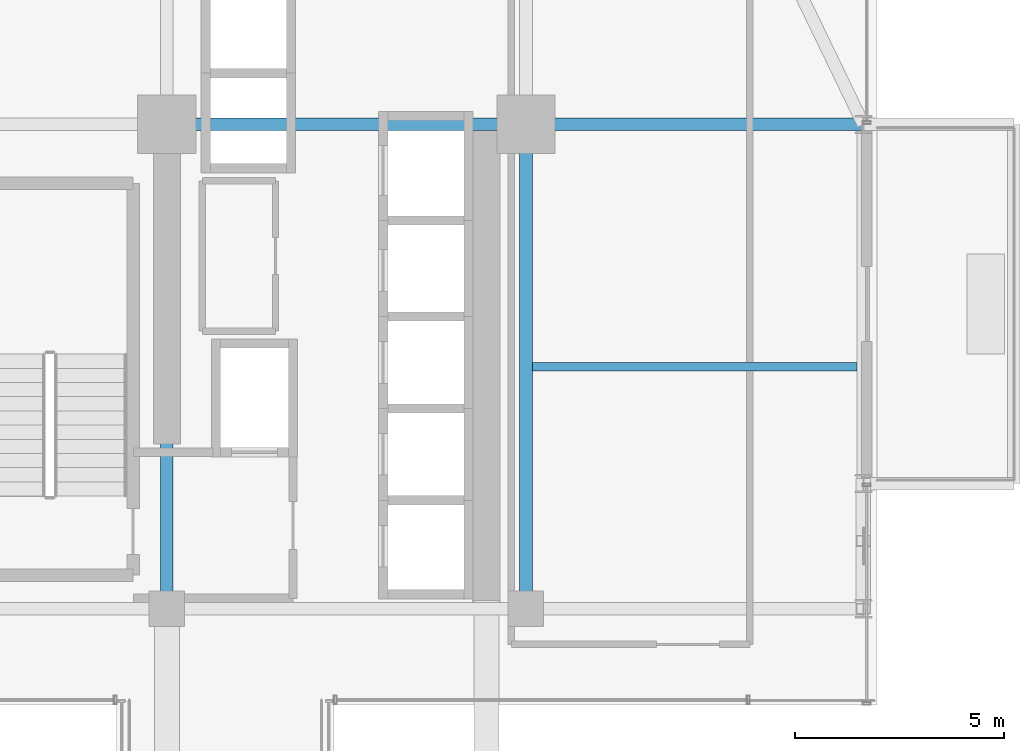
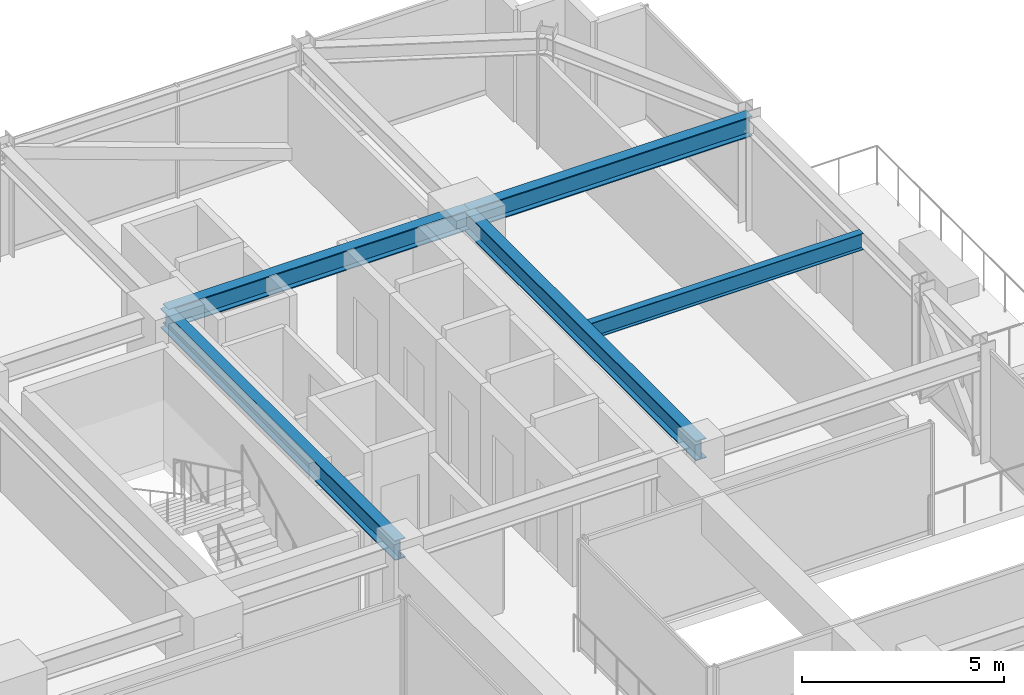
# One storey, part 30 of 43: 5 beams.
"""IFC4 building model written with IfcOpenShell, lengths in metres."""

from ifc_helpers import new_model, si_unit, direction, frame, origin, origin_2d, place, context, subcontext, project, spatial, i_section, extrude, source, transform, mapped, material, material_profile, profile_set, type_object, element, save


model = new_model("IFC4")

# Units and contexts
model_context = context("Model", 3, precision=1e-05, world=origin(), true_north=direction((0.0, 1.0)))
body_context = subcontext(model_context, "Body", "Model", "MODEL_VIEW")
ifc_project = project(units=[si_unit("LENGTHUNIT", "METRE"), si_unit("AREAUNIT", "SQUARE_METRE"), si_unit("VOLUMEUNIT", "CUBIC_METRE"), si_unit("PLANEANGLEUNIT", "RADIAN"), si_unit("MASSUNIT", "GRAM", prefix="KILO")], contexts=[model_context])

# Site, building, storey
site_placement = place(None, origin())
site = spatial("IfcSite", under=ifc_project, at=site_placement, CompositionType="ELEMENT")
building_placement = place(site_placement, origin())
building = spatial("IfcBuilding", under=site, at=building_placement, Name="Nahalor Promenade Grand Hotel", CompositionType="ELEMENT")
storey_placement = place(building_placement, frame((0.0, 0.0, 57.949951171875)))
storey = spatial("IfcBuildingStorey", under=building, at=storey_placement, Name="L13", CompositionType="ELEMENT", Elevation=57.949951171875)

# Beams
ifc_material = material(Name="Steel S355JR", Category="steel")
ifc_material_profile_1 = material_profile(ifc_material, i_section(OverallWidth=0.3, OverallDepth=0.6, WebThickness=0.0155, FlangeThickness=0.03, at=origin_2d()), Name="HEB 600")
ifc_profile_set_1 = profile_set([ifc_material_profile_1], Name="Steel S355JR")
beam_type_1 = type_object("IfcBeamType", Name="Beam-Girder-HEB600", PredefinedType="BEAM", material=ifc_profile_set_1)
shared_shape_1 = source(origin(), body_context, "Body", "SweptSolid", [
    extrude(i_section(OverallWidth=0.3, OverallDepth=0.6, WebThickness=0.0155, FlangeThickness=0.03, at=origin_2d()), origin(), (0.0, 0.0, 1.0), 8.60009765625),
])
beam_1_placement = place(storey_placement, frame((8.39990234375, 17.0, 3.070068359375), z_axis=(1.0, 0.0, 0.0), x_axis=(0.0, 1.0, 0.0)))
element("IfcBeam", 1, at=beam_1_placement, inside=storey, type_object=beam_type_1, Name="BM-L13-GX-3-5", PredefinedType="BEAM", context=body_context, shape_type="MappedRepresentation", body=[
    mapped(shared_shape_1, transform((0.0, 0.0, 0.0), scale=1.0)),
])
shared_shape_2 = source(origin(), body_context, "Body", "SweptSolid", [
    extrude(i_section(OverallWidth=0.3, OverallDepth=0.6, WebThickness=0.0155, FlangeThickness=0.03, at=origin_2d()), origin(), (0.0, 0.0, 1.0), 11.60009765625),
])
for number, where, z_axis, x_axis, name in (
    (2, (8.39990234375, 5.39990234375, 3.070068359375), (0.0, 1.0, 0.0), (-1.0, 0.0, 0.0), "BM-L13-GY-4-3"),
    (3, (17.0, 5.39990234375, 3.070068359375), (0.0, 1.0, 0.0), (-1.0, 0.0, 0.0), "BM-L13-GY-5-3"),
):
    element("IfcBeam", number, at=place(storey_placement, frame(where, z_axis=z_axis, x_axis=x_axis)), inside=storey, type_object=beam_type_1, Name=name, PredefinedType="BEAM", context=body_context, shape_type="MappedRepresentation", body=[
        mapped(shared_shape_2, transform((0.0, 0.0, 0.0), scale=1.0)),
    ])
shared_shape_3 = source(origin(), body_context, "Body", "SweptSolid", [
    extrude(i_section(OverallWidth=0.3, OverallDepth=0.6, WebThickness=0.0155, FlangeThickness=0.03, at=origin_2d()), origin(), (0.0, 0.0, 1.0), 8.080078125),
])
beam_2_placement = place(storey_placement, frame((17.0, 17.0, 3.070068359375), z_axis=(1.0, 0.0, 0.0), x_axis=(0.0, 1.0, 0.0)))
element("IfcBeam", 4, at=beam_2_placement, inside=storey, type_object=beam_type_1, Name="BM-L13-GX-3-6", PredefinedType="BEAM", context=body_context, shape_type="MappedRepresentation", body=[
    mapped(shared_shape_3, transform((0.0, 0.0, 0.0), scale=1.0)),
])
ifc_material_profile_2 = material_profile(ifc_material, i_section(OverallWidth=0.2, OverallDepth=0.5, WebThickness=0.0102, FlangeThickness=0.016, at=origin_2d()), Name="IPE 500")
ifc_profile_set_2 = profile_set([ifc_material_profile_2], Name="Steel S355JR")
beam_type_2 = type_object("IfcBeamType", Name="Beam-Joist-IPE500", PredefinedType="JOIST", material=ifc_profile_set_2)
shared_shape_4 = source(origin(), body_context, "Body", "SweptSolid", [
    extrude(i_section(OverallWidth=0.2, OverallDepth=0.5, WebThickness=0.0102, FlangeThickness=0.016, at=origin_2d()), origin(), (0.0, 0.0, 1.0), 7.780029296875),
])
beam_3_placement = place(storey_placement, frame((17.14990234375, 11.199951171875, 3.1201171875), z_axis=(1.0, 0.0, 0.0), x_axis=(0.0, 1.0, 0.0)))
element("IfcBeam", 5, at=beam_3_placement, inside=storey, type_object=beam_type_2, Name="BM-L13-JSE-1-2", PredefinedType="JOIST", context=body_context, shape_type="MappedRepresentation", body=[
    mapped(shared_shape_4, transform((0.0, 0.0, 0.0), scale=1.0)),
])

save(model, "model.ifc")
